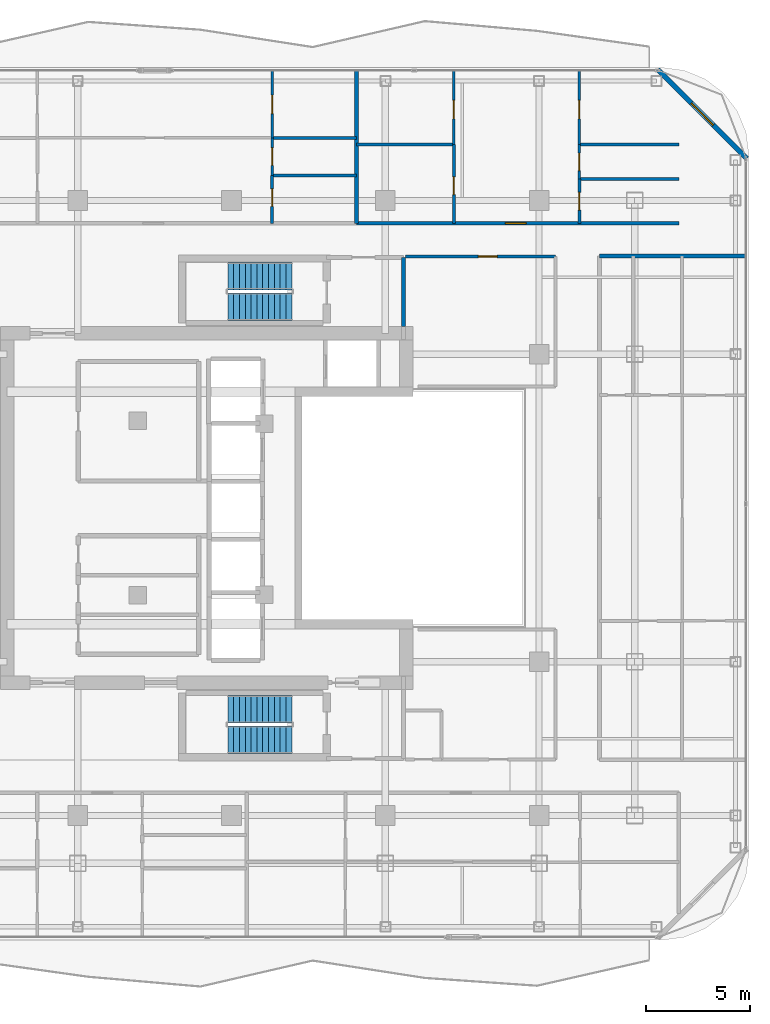
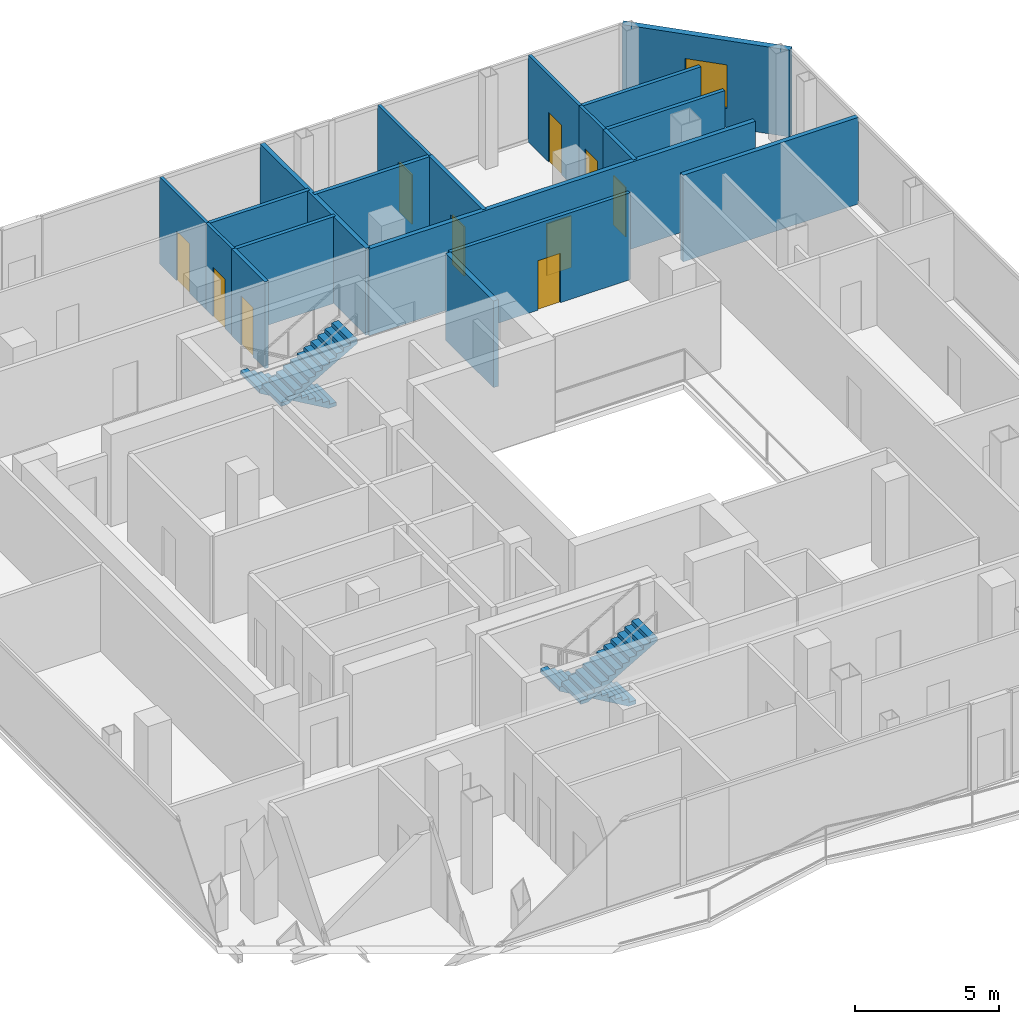
# One storey, part 19 of 22: 19 walls, 10 doors, 4 stair flights, 1 window, 11 openings, 2 elements without a shape of their own.
"""IFC4 building model written with IfcOpenShell, lengths in metres."""

from ifc_helpers import new_model, si_unit, direction, frame, frame_2d, origin, place, context, subcontext, project, spatial, polyline, rectangle, outline, extrude, material, layer, layer_set, type_object, element, fill, aggregate, save


model = new_model("IFC4")

# Units and contexts
model_context = context("Model", 3, precision=1e-05, world=origin(), true_north=direction((0.0, 1.0)))
body_context = subcontext(model_context, "Body", "Model", "MODEL_VIEW")
ifc_project = project(units=[si_unit("LENGTHUNIT", "METRE"), si_unit("AREAUNIT", "SQUARE_METRE"), si_unit("VOLUMEUNIT", "CUBIC_METRE"), si_unit("PLANEANGLEUNIT", "RADIAN"), si_unit("MASSUNIT", "GRAM", prefix="KILO")], contexts=[model_context])

# Site, building, storey
site_placement = place(None, origin())
site = spatial("IfcSite", under=ifc_project, at=site_placement, CompositionType="ELEMENT")
building_placement = place(site_placement, origin())
building = spatial("IfcBuilding", under=site, at=building_placement, Name="Khorvyn Point Tower", CompositionType="ELEMENT")
storey_placement = place(building_placement, frame((0.0, 0.0, 278.10009765625)))
storey = spatial("IfcBuildingStorey", under=building, at=storey_placement, Name="L68", CompositionType="ELEMENT", Elevation=278.10009765625)

# Wall, opening, door
ifc_material_1 = material(Name="Double acoustic gypsum on twin steel stud", Category="steel")
ifc_layer_1 = layer(ifc_material_1, 0.179931640625)
ifc_layer_set_1 = layer_set([ifc_layer_1], Name="Acoustic Double-Stud Apartment Demising Wall 180")
wall_type_1 = type_object("IfcWallType", Name="Acoustic Double-Stud Apartment Demising Wall 180", PredefinedType="PARTITIONING", material=ifc_layer_set_1)
wall_1_placement = place(storey_placement, frame((6.013916015625, 13.699951171875, 0.0), z_axis=(0.0, 0.0, 1.0), x_axis=(1.0, 0.0, 0.0)))
wall_1 = element("IfcWall", 1, at=wall_1_placement, inside=storey, type_object=wall_type_1, Name="Wall", PredefinedType="PARTITIONING", context=body_context, shape_type="SweptSolid", body=[
    extrude(rectangle(XDim=15.506103515625, YDim=0.179931640625, at=frame_2d((7.7529296875, 0.0))), origin(), (0.0, 0.0, 1.0), 3.679931640625),
])
opening_1_placement = place(wall_1_placement, frame((7.1630859375, 0.0, 0.0)))
opening_1 = element("IfcOpeningElement", 2, at=opening_1_placement, cuts=wall_1, Name="Opening ID-AP60", PredefinedType="OPENING", context=body_context, shape_type="SweptSolid", body=[
    extrude(rectangle(XDim=1.0, YDim=2.199951171875, at=frame_2d((0.5, 1.10009765625))), frame((0.0, 0.099853515625, 0.0), z_axis=(0.0, -1.0, 0.0), x_axis=(1.0, 0.0, 0.0)), (0.0, 0.0, 1.0), 0.199951171875),
])
ifc_material_2 = material(Name="Engineered hardwood fire-rated leaf", Category="wood")
door_type_1 = type_object("IfcDoorType", Name="Acoustic Solid-Core Timber Apartment Entrance Door 1000x2200", OperationType="NOTDEFINED", PredefinedType="DOOR", material=ifc_material_2)
door_1_placement = place(opening_1_placement, origin())
door_1 = element("IfcDoor", 3, at=door_1_placement, inside=storey, type_object=door_type_1, Name="Door", OperationType="SINGLE_SWING_RIGHT", OverallHeight=2.199951171875, OverallWidth=1.0, PredefinedType="DOOR", context=body_context, shape_type="SweptSolid", body=[
    extrude(rectangle(XDim=1.0, YDim=2.199951171875, at=frame_2d((0.5, 1.10009765625))), frame((0.0, 0.02490234375, 0.0), z_axis=(0.0, -1.0, 0.0), x_axis=(1.0, 0.0, 0.0)), (0.0, 0.0, 1.0), 0.050048828125),
])
fill(opening_1, door_1)

# Walls
wall_2_placement = place(storey_placement, frame((6.013916015625, 13.699951171875, 0.0), z_axis=(0.0, 0.0, 1.0), x_axis=(0.0, 1.0, 0.0)))
element("IfcWall", 4, at=wall_2_placement, inside=storey, type_object=wall_type_1, Name="Wall", PredefinedType="PARTITIONING", context=body_context, shape_type="SweptSolid", body=[
    extrude(rectangle(XDim=7.330078125, YDim=0.179931640625, at=frame_2d((3.6650390625, 0.0))), origin(), (0.0, 0.0, 1.0), 3.679931640625),
])
wall_3_placement = place(storey_placement, frame((17.699951171875, 12.1201171875, 0.0), z_axis=(0.0, 0.0, 1.0), x_axis=(1.0, 0.0, 0.0)))
element("IfcWall", 5, at=wall_3_placement, inside=storey, type_object=wall_type_1, Name="Wall", PredefinedType="PARTITIONING", context=body_context, shape_type="SweptSolid", body=[
    extrude(rectangle(XDim=7.030029296875, YDim=0.179931640625, at=frame_2d((3.51513671875, 0.0))), origin(), (0.0, 0.0, 1.0), 3.679931640625),
])

# Wall, opening, window
ifc_material_3 = material(Name="Pale anodised aluminium rainscreen on steel stud", Category="steel")
ifc_layer_2 = layer(ifc_material_3, 0.239990234375)
ifc_layer_set_2 = layer_set([ifc_layer_2], Name="Anodised Aluminium Insulated Corner Spandrel Wall 240")
wall_type_2 = type_object("IfcWallType", Name="Anodised Aluminium Insulated Corner Spandrel Wall 240", PredefinedType="SOLIDWALL", material=ifc_layer_set_2)
wall_4_placement = place(storey_placement, frame((20.507568359375, 21.09228515625, 0.0), z_axis=(0.0, 0.0, 1.0), x_axis=(0.707126925818, -0.707086635981, 0.0)))
wall_4 = element("IfcWall", 6, at=wall_4_placement, inside=storey, type_object=wall_type_2, Name="L68 Rounded Corner Wall NE", PredefinedType="SOLIDWALL", context=body_context, shape_type="SweptSolid", body=[
    extrude(rectangle(XDim=6.0595703125, YDim=0.239990234375, at=frame_2d((3.02978515625, 0.0))), origin(), (0.0, 0.0, 1.0), 3.679931640625),
])
opening_2_placement = place(wall_4_placement, frame((2.27978515625, 0.0, 0.800048828125)))
opening_2 = element("IfcOpeningElement", 7, at=opening_2_placement, cuts=wall_4, Name="Opening WN-1518", PredefinedType="OPENING", context=body_context, shape_type="SweptSolid", body=[
    extrude(rectangle(XDim=1.5, YDim=1.85009765625, at=frame_2d((0.75, 0.925048828125))), frame((0.0, 0.1298828125, 0.0), z_axis=(0.0, -1.0, 0.0), x_axis=(1.0, 0.0, 0.0)), (0.0, 0.0, 1.0), 0.260009765625),
])
ifc_material_4 = material(Name="Anodised aluminium 6063-T6 and laminated Low-E glass", Category="aluminium")
window_type = type_object("IfcWindowType", Name="Anodised Aluminium Rounded-Corner Panoramic Window 1500x1850", PartitioningType="SINGLE_PANEL", PredefinedType="WINDOW", material=ifc_material_4)
window_placement = place(opening_2_placement, origin())
window = element("IfcWindow", 8, at=window_placement, inside=storey, type_object=window_type, Name="L68 Corner Panoramic Window NE", OverallHeight=1.85009765625, OverallWidth=1.5, PartitioningType="SINGLE_PANEL", PredefinedType="WINDOW", context=body_context, shape_type="SweptSolid", body=[
    extrude(rectangle(XDim=1.5, YDim=1.85009765625, at=frame_2d((0.75, 0.925048828125))), frame((0.0, 0.030029296875, 0.0), z_axis=(0.0, -1.0, 0.0), x_axis=(1.0, 0.0, 0.0)), (0.0, 0.0, 1.0), 0.06005859375),
])
fill(opening_2, window)

# Wall
ifc_material_5 = material(Name="Concrete C40/50", Category="concrete")
ifc_layer_3 = layer(ifc_material_5, 0.199951171875)
ifc_layer_set_3 = layer_set([ifc_layer_3], Name="Concrete C40/50 Fire-Lobby Compartment Wall 200")
wall_type_3 = type_object("IfcWallType", Name="Concrete C40/50 Fire-Lobby Compartment Wall 200", PredefinedType="SOLIDWALL", material=ifc_layer_set_3)
wall_5_placement = place(storey_placement, frame((8.280029296875, 8.72509765625, 0.0), z_axis=(0.0, 0.0, 1.0), x_axis=(0.0, 1.0, 0.0)))
element("IfcWall", 9, at=wall_5_placement, inside=storey, type_object=wall_type_3, Name="Wall", PredefinedType="SOLIDWALL", context=body_context, shape_type="SweptSolid", body=[
    extrude(rectangle(XDim=3.3349609375, YDim=0.199951171875, at=frame_2d((1.66748046875, 0.0))), origin(), (0.0, 0.0, 1.0), 3.679931640625),
])

# Wall, opening, door
ifc_material_6 = material(Name="Gypsum plasterboard on steel stud", Category="steel")
ifc_layer_4 = layer(ifc_material_6, 0.1201171875)
ifc_layer_set_4 = layer_set([ifc_layer_4], Name="Gypsum Acoustic Stud Room Partition Wall 120")
wall_type_4 = type_object("IfcWallType", Name="Gypsum Acoustic Stud Room Partition Wall 120", PredefinedType="PARTITIONING", material=ifc_layer_set_4)
wall_6_placement = place(storey_placement, frame((1.952880859375, 16.001953125, 0.0), z_axis=(0.0, 0.0, 1.0), x_axis=(0.0, 1.0, 0.0)))
wall_6 = element("IfcWall", 10, at=wall_6_placement, inside=storey, type_object=wall_type_4, Name="Wall", PredefinedType="PARTITIONING", context=body_context, shape_type="SweptSolid", body=[
    extrude(rectangle(XDim=1.80810546875, YDim=0.1201171875, at=frame_2d((0.904052734375, 0.0))), origin(), (0.0, 0.0, 1.0), 3.679931640625),
])
opening_3_placement = place(wall_6_placement, frame((0.47900390625, 0.0, 0.0)))
opening_3 = element("IfcOpeningElement", 11, at=opening_3_placement, cuts=wall_6, Name="Opening ID-WC85", PredefinedType="OPENING", context=body_context, shape_type="SweptSolid", body=[
    extrude(rectangle(XDim=0.85009765625, YDim=2.10009765625, at=frame_2d((0.425048828125, 1.050048828125))), frame((0.0, 0.070068359375, 0.0), z_axis=(0.0, -1.0, 0.0), x_axis=(1.0, 0.0, 0.0)), (0.0, 0.0, 1.0), 0.14013671875),
])
ifc_material_7 = material(Name="High-pressure laminate on moisture-resistant core", Category="wood")
door_type_2 = type_object("IfcDoorType", Name="Moisture-Resistant Accessible Washroom Door 850x2100", OperationType="NOTDEFINED", PredefinedType="DOOR", material=ifc_material_7)
door_2_placement = place(opening_3_placement, origin())
door_2 = element("IfcDoor", 12, at=door_2_placement, inside=storey, type_object=door_type_2, Name="Door", OperationType="SINGLE_SWING_RIGHT", OverallHeight=2.10009765625, OverallWidth=0.85009765625, PredefinedType="DOOR", context=body_context, shape_type="SweptSolid", body=[
    extrude(rectangle(XDim=0.85009765625, YDim=2.10009765625, at=frame_2d((0.425048828125, 1.050048828125))), frame((0.0, 0.02490234375, 0.0), z_axis=(0.0, -1.0, 0.0), x_axis=(1.0, 0.0, 0.0)), (0.0, 0.0, 1.0), 0.050048828125),
])
fill(opening_3, door_2)

wall_7_placement = place(storey_placement, frame((1.952880859375, 17.81005859375, 0.0), z_axis=(0.0, 0.0, 1.0), x_axis=(0.0, 1.0, 0.0)))
wall_7 = element("IfcWall", 13, at=wall_7_placement, inside=storey, type_object=wall_type_4, Name="Wall", PredefinedType="PARTITIONING", context=body_context, shape_type="SweptSolid", body=[
    extrude(rectangle(XDim=3.219970703125, YDim=0.1201171875, at=frame_2d((1.60986328125, 0.0))), origin(), (0.0, 0.0, 1.0), 3.679931640625),
])
opening_4_placement = place(wall_7_placement, frame((1.159912109375, 0.0, 0.0)))
opening_4 = element("IfcOpeningElement", 14, at=opening_4_placement, cuts=wall_7, Name="Opening ID-RM90", PredefinedType="OPENING", context=body_context, shape_type="SweptSolid", body=[
    extrude(rectangle(XDim=0.89990234375, YDim=2.10009765625, at=frame_2d((0.449951171875, 1.050048828125))), frame((0.0, 0.070068359375, 0.0), z_axis=(0.0, -1.0, 0.0), x_axis=(1.0, 0.0, 0.0)), (0.0, 0.0, 1.0), 0.14013671875),
])
ifc_material_8 = material(Name="Engineered oak veneer timber", Category="wood")
door_type_3 = type_object("IfcDoorType", Name="Flush Engineered Timber Room Door 900x2100", OperationType="NOTDEFINED", PredefinedType="DOOR", material=ifc_material_8)
door_3_placement = place(opening_4_placement, origin())
door_3 = element("IfcDoor", 15, at=door_3_placement, inside=storey, type_object=door_type_3, Name="Door", OperationType="SINGLE_SWING_LEFT", OverallHeight=2.10009765625, OverallWidth=0.89990234375, PredefinedType="DOOR", context=body_context, shape_type="SweptSolid", body=[
    extrude(rectangle(XDim=0.89990234375, YDim=2.10009765625, at=frame_2d((0.449951171875, 1.050048828125))), frame((0.0, 0.02490234375, 0.0), z_axis=(0.0, -1.0, 0.0), x_axis=(1.0, 0.0, 0.0)), (0.0, 0.0, 1.0), 0.050048828125),
])
fill(opening_4, door_3)

wall_8_placement = place(storey_placement, frame((10.699951171875, 17.487060546875, 0.0), z_axis=(0.0, 0.0, 1.0), x_axis=(0.0, 1.0, 0.0)))
wall_8 = element("IfcWall", 16, at=wall_8_placement, inside=storey, type_object=wall_type_4, Name="Wall", PredefinedType="PARTITIONING", context=body_context, shape_type="SweptSolid", body=[
    extrude(rectangle(XDim=3.54296875, YDim=0.1201171875, at=frame_2d((1.771484375, 0.0))), origin(), (0.0, 0.0, 1.0), 3.679931640625),
])
opening_5_placement = place(wall_8_placement, frame((1.232177734375, 0.0, 0.0)))
opening_5 = element("IfcOpeningElement", 17, at=opening_5_placement, cuts=wall_8, Name="Opening ID-RM90", PredefinedType="OPENING", context=body_context, shape_type="SweptSolid", body=[
    extrude(rectangle(XDim=0.89990234375, YDim=2.10009765625, at=frame_2d((0.449951171875, 1.050048828125))), frame((0.0, 0.070068359375, 0.0), z_axis=(0.0, -1.0, 0.0), x_axis=(1.0, 0.0, 0.0)), (0.0, 0.0, 1.0), 0.14013671875),
])
door_4_placement = place(opening_5_placement, origin())
door_4 = element("IfcDoor", 18, at=door_4_placement, inside=storey, type_object=door_type_3, Name="Door", OperationType="SINGLE_SWING_RIGHT", OverallHeight=2.10009765625, OverallWidth=0.89990234375, PredefinedType="DOOR", context=body_context, shape_type="SweptSolid", body=[
    extrude(rectangle(XDim=0.89990234375, YDim=2.10009765625, at=frame_2d((0.449951171875, 1.050048828125))), frame((0.0, 0.02490234375, 0.0), z_axis=(0.0, -1.0, 0.0), x_axis=(1.0, 0.0, 0.0)), (0.0, 0.0, 1.0), 0.050048828125),
])
fill(opening_5, door_4)

wall_9_placement = place(storey_placement, frame((16.739013671875, 15.821044921875, 0.0), z_axis=(0.0, 0.0, 1.0), x_axis=(0.0, 1.0, 0.0)))
wall_9 = element("IfcWall", 19, at=wall_9_placement, inside=storey, type_object=wall_type_4, Name="Wall", PredefinedType="PARTITIONING", context=body_context, shape_type="SweptSolid", body=[
    extrude(rectangle(XDim=1.666015625, YDim=0.1201171875, at=frame_2d((0.8330078125, 0.0))), origin(), (0.0, 0.0, 1.0), 3.679931640625),
])
opening_6_placement = place(wall_9_placement, frame((0.407958984375, 0.0, 0.0)))
opening_6 = element("IfcOpeningElement", 20, at=opening_6_placement, cuts=wall_9, Name="Opening ID-WC85", PredefinedType="OPENING", context=body_context, shape_type="SweptSolid", body=[
    extrude(rectangle(XDim=0.85009765625, YDim=2.10009765625, at=frame_2d((0.425048828125, 1.050048828125))), frame((0.0, 0.070068359375, 0.0), z_axis=(0.0, -1.0, 0.0), x_axis=(1.0, 0.0, 0.0)), (0.0, 0.0, 1.0), 0.14013671875),
])
door_5_placement = place(opening_6_placement, origin())
door_5 = element("IfcDoor", 21, at=door_5_placement, inside=storey, type_object=door_type_2, Name="Door", OperationType="SINGLE_SWING_RIGHT", OverallHeight=2.10009765625, OverallWidth=0.85009765625, PredefinedType="DOOR", context=body_context, shape_type="SweptSolid", body=[
    extrude(rectangle(XDim=0.85009765625, YDim=2.10009765625, at=frame_2d((0.425048828125, 1.050048828125))), frame((0.0, 0.02490234375, 0.0), z_axis=(0.0, -1.0, 0.0), x_axis=(1.0, 0.0, 0.0)), (0.0, 0.0, 1.0), 0.050048828125),
])
fill(opening_6, door_5)

wall_10_placement = place(storey_placement, frame((16.739013671875, 17.487060546875, 0.0), z_axis=(0.0, 0.0, 1.0), x_axis=(0.0, 1.0, 0.0)))
wall_10 = element("IfcWall", 22, at=wall_10_placement, inside=storey, type_object=wall_type_4, Name="Wall", PredefinedType="PARTITIONING", context=body_context, shape_type="SweptSolid", body=[
    extrude(rectangle(XDim=3.54296875, YDim=0.1201171875, at=frame_2d((1.771484375, 0.0))), origin(), (0.0, 0.0, 1.0), 3.679931640625),
])
opening_7_placement = place(wall_10_placement, frame((1.232177734375, 0.0, 0.0)))
opening_7 = element("IfcOpeningElement", 23, at=opening_7_placement, cuts=wall_10, Name="Opening ID-RM90", PredefinedType="OPENING", context=body_context, shape_type="SweptSolid", body=[
    extrude(rectangle(XDim=0.89990234375, YDim=2.10009765625, at=frame_2d((0.449951171875, 1.050048828125))), frame((0.0, 0.070068359375, 0.0), z_axis=(0.0, -1.0, 0.0), x_axis=(1.0, 0.0, 0.0)), (0.0, 0.0, 1.0), 0.14013671875),
])
door_6_placement = place(opening_7_placement, origin())
door_6 = element("IfcDoor", 24, at=door_6_placement, inside=storey, type_object=door_type_3, Name="Door", OperationType="SINGLE_SWING_LEFT", OverallHeight=2.10009765625, OverallWidth=0.89990234375, PredefinedType="DOOR", context=body_context, shape_type="SweptSolid", body=[
    extrude(rectangle(XDim=0.89990234375, YDim=2.10009765625, at=frame_2d((0.449951171875, 1.050048828125))), frame((0.0, 0.02490234375, 0.0), z_axis=(0.0, -1.0, 0.0), x_axis=(1.0, 0.0, 0.0)), (0.0, 0.0, 1.0), 0.050048828125),
])
fill(opening_7, door_6)

ifc_material_9 = material(Name="Moisture-resistant gypsum and cement board", Category="gypsum")
ifc_layer_5 = layer(ifc_material_9, 0.14990234375)
ifc_layer_set_5 = layer_set([ifc_layer_5], Name="Moisture-Resistant Wet-Room Partition Wall 150")
wall_type_5 = type_object("IfcWallType", Name="Moisture-Resistant Wet-Room Partition Wall 150", PredefinedType="PARTITIONING", material=ifc_layer_set_5)
wall_11_placement = place(storey_placement, frame((8.360107421875, 12.10009765625, 0.0), z_axis=(0.0, 0.0, 1.0), x_axis=(1.0, 0.0, 0.0)))
wall_11 = element("IfcWall", 25, at=wall_11_placement, inside=storey, type_object=wall_type_5, Name="Wall", PredefinedType="PARTITIONING", context=body_context, shape_type="SweptSolid", body=[
    extrude(rectangle(XDim=7.219970703125, YDim=0.14990234375, at=frame_2d((3.60986328125, 0.0))), origin(), (0.0, 0.0, 1.0), 3.679931640625),
])
opening_8_placement = place(wall_11_placement, frame((3.512939453125, 0.0, 0.0)))
opening_8 = element("IfcOpeningElement", 26, at=opening_8_placement, cuts=wall_11, Name="Opening ID-RM90", PredefinedType="OPENING", context=body_context, shape_type="SweptSolid", body=[
    extrude(rectangle(XDim=0.89990234375, YDim=2.10009765625, at=frame_2d((0.449951171875, 1.050048828125))), frame((0.0, 0.0849609375, 0.0), z_axis=(0.0, -1.0, 0.0), x_axis=(1.0, 0.0, 0.0)), (0.0, 0.0, 1.0), 0.169921875),
])
door_7_placement = place(opening_8_placement, origin())
door_7 = element("IfcDoor", 27, at=door_7_placement, inside=storey, type_object=door_type_3, Name="Door", OperationType="SINGLE_SWING_RIGHT", OverallHeight=2.10009765625, OverallWidth=0.89990234375, PredefinedType="DOOR", context=body_context, shape_type="SweptSolid", body=[
    extrude(rectangle(XDim=0.89990234375, YDim=2.10009765625, at=frame_2d((0.449951171875, 1.050048828125))), frame((0.0, 0.02490234375, 0.0), z_axis=(0.0, -1.0, 0.0), x_axis=(1.0, 0.0, 0.0)), (0.0, 0.0, 1.0), 0.050048828125),
])
fill(opening_8, door_7)

wall_12_placement = place(storey_placement, frame((1.952880859375, 13.699951171875, 0.0), z_axis=(0.0, 0.0, 1.0), x_axis=(0.0, 1.0, 0.0)))
wall_12 = element("IfcWall", 28, at=wall_12_placement, inside=storey, type_object=wall_type_5, Name="Wall", PredefinedType="PARTITIONING", context=body_context, shape_type="SweptSolid", body=[
    extrude(rectangle(XDim=2.302001953125, YDim=0.14990234375, at=frame_2d((1.15087890625, 0.0))), origin(), (0.0, 0.0, 1.0), 3.679931640625),
])
opening_9_placement = place(wall_12_placement, frame((0.806884765625, 0.0, 0.0)))
opening_9 = element("IfcOpeningElement", 29, at=opening_9_placement, cuts=wall_12, Name="Opening ID-WC85", PredefinedType="OPENING", context=body_context, shape_type="SweptSolid", body=[
    extrude(rectangle(XDim=0.85009765625, YDim=2.10009765625, at=frame_2d((0.425048828125, 1.050048828125))), frame((0.0, 0.0849609375, 0.0), z_axis=(0.0, -1.0, 0.0), x_axis=(1.0, 0.0, 0.0)), (0.0, 0.0, 1.0), 0.169921875),
])
door_8_placement = place(opening_9_placement, origin())
door_8 = element("IfcDoor", 30, at=door_8_placement, inside=storey, type_object=door_type_2, Name="Door", OperationType="SINGLE_SWING_LEFT", OverallHeight=2.10009765625, OverallWidth=0.85009765625, PredefinedType="DOOR", context=body_context, shape_type="SweptSolid", body=[
    extrude(rectangle(XDim=0.85009765625, YDim=2.10009765625, at=frame_2d((0.425048828125, 1.050048828125))), frame((0.0, 0.02490234375, 0.0), z_axis=(0.0, -1.0, 0.0), x_axis=(1.0, 0.0, 0.0)), (0.0, 0.0, 1.0), 0.050048828125),
])
fill(opening_9, door_8)

wall_13_placement = place(storey_placement, frame((10.699951171875, 13.699951171875, 0.0), z_axis=(0.0, 0.0, 1.0), x_axis=(0.0, 1.0, 0.0)))
wall_13 = element("IfcWall", 31, at=wall_13_placement, inside=storey, type_object=wall_type_5, Name="Wall", PredefinedType="PARTITIONING", context=body_context, shape_type="SweptSolid", body=[
    extrude(rectangle(XDim=3.787109375, YDim=0.14990234375, at=frame_2d((1.8935546875, 0.0))), origin(), (0.0, 0.0, 1.0), 3.679931640625),
])
opening_10_placement = place(wall_13_placement, frame((1.38134765625, 0.0, 0.0)))
opening_10 = element("IfcOpeningElement", 32, at=opening_10_placement, cuts=wall_13, Name="Opening ID-WC85", PredefinedType="OPENING", context=body_context, shape_type="SweptSolid", body=[
    extrude(rectangle(XDim=0.85009765625, YDim=2.10009765625, at=frame_2d((0.425048828125, 1.050048828125))), frame((0.0, 0.0849609375, 0.0), z_axis=(0.0, -1.0, 0.0), x_axis=(1.0, 0.0, 0.0)), (0.0, 0.0, 1.0), 0.169921875),
])
door_9_placement = place(opening_10_placement, origin())
door_9 = element("IfcDoor", 33, at=door_9_placement, inside=storey, type_object=door_type_2, Name="Door", OperationType="SINGLE_SWING_LEFT", OverallHeight=2.10009765625, OverallWidth=0.85009765625, PredefinedType="DOOR", context=body_context, shape_type="SweptSolid", body=[
    extrude(rectangle(XDim=0.85009765625, YDim=2.10009765625, at=frame_2d((0.425048828125, 1.050048828125))), frame((0.0, 0.02490234375, 0.0), z_axis=(0.0, -1.0, 0.0), x_axis=(1.0, 0.0, 0.0)), (0.0, 0.0, 1.0), 0.050048828125),
])
fill(opening_10, door_9)

wall_14_placement = place(storey_placement, frame((16.739013671875, 13.699951171875, 0.0), z_axis=(0.0, 0.0, 1.0), x_axis=(0.0, 1.0, 0.0)))
wall_14 = element("IfcWall", 34, at=wall_14_placement, inside=storey, type_object=wall_type_5, Name="Wall", PredefinedType="PARTITIONING", context=body_context, shape_type="SweptSolid", body=[
    extrude(rectangle(XDim=2.12109375, YDim=0.14990234375, at=frame_2d((1.060546875, 0.0))), origin(), (0.0, 0.0, 1.0), 3.679931640625),
])
opening_11_placement = place(wall_14_placement, frame((0.635498046875, 0.0, 0.0)))
opening_11 = element("IfcOpeningElement", 35, at=opening_11_placement, cuts=wall_14, Name="Opening ID-WC85", PredefinedType="OPENING", context=body_context, shape_type="SweptSolid", body=[
    extrude(rectangle(XDim=0.85009765625, YDim=2.10009765625, at=frame_2d((0.425048828125, 1.050048828125))), frame((0.0, 0.0849609375, 0.0), z_axis=(0.0, -1.0, 0.0), x_axis=(1.0, 0.0, 0.0)), (0.0, 0.0, 1.0), 0.169921875),
])
door_10_placement = place(opening_11_placement, origin())
door_10 = element("IfcDoor", 36, at=door_10_placement, inside=storey, type_object=door_type_2, Name="Door", OperationType="SINGLE_SWING_LEFT", OverallHeight=2.10009765625, OverallWidth=0.85009765625, PredefinedType="DOOR", context=body_context, shape_type="SweptSolid", body=[
    extrude(rectangle(XDim=0.85009765625, YDim=2.10009765625, at=frame_2d((0.425048828125, 1.050048828125))), frame((0.0, 0.02490234375, 0.0), z_axis=(0.0, -1.0, 0.0), x_axis=(1.0, 0.0, 0.0)), (0.0, 0.0, 1.0), 0.050048828125),
])
fill(opening_11, door_10)

# Walls
for number, where, z_axis, x_axis, name in (
    (37, (1.952880859375, 16.001953125, 0.0), (0.0, 0.0, 1.0), (1.0, 0.0, 0.0), "Wall"),
    (38, (1.952880859375, 17.81005859375, 0.0), (0.0, 0.0, 1.0), (1.0, 0.0, 0.0), "Wall"),
):
    element("IfcWall", number, at=place(storey_placement, frame(where, z_axis=z_axis, x_axis=x_axis)), inside=storey, type_object=wall_type_5, Name=name, PredefinedType="PARTITIONING", context=body_context, shape_type="SweptSolid", body=[
        extrude(rectangle(XDim=4.06103515625, YDim=0.14990234375, at=frame_2d((2.030517578125, 0.0))), origin(), (0.0, 0.0, 1.0), 3.679931640625),
    ])
wall_15_placement = place(storey_placement, frame((6.013916015625, 17.487060546875, 0.0), z_axis=(0.0, 0.0, 1.0), x_axis=(1.0, 0.0, 0.0)))
element("IfcWall", 39, at=wall_15_placement, inside=storey, type_object=wall_type_5, Name="Wall", PredefinedType="PARTITIONING", context=body_context, shape_type="SweptSolid", body=[
    extrude(rectangle(XDim=4.68603515625, YDim=0.14990234375, at=frame_2d((2.343017578125, 0.0))), origin(), (0.0, 0.0, 1.0), 3.679931640625),
])
for number, where, z_axis, x_axis, name in (
    (40, (16.739013671875, 15.821044921875, 0.0), (0.0, 0.0, 1.0), (1.0, 0.0, 0.0), "Wall"),
    (41, (16.739013671875, 17.487060546875, 0.0), (0.0, 0.0, 1.0), (1.0, 0.0, 0.0), "Wall"),
):
    element("IfcWall", number, at=place(storey_placement, frame(where, z_axis=z_axis, x_axis=x_axis)), inside=storey, type_object=wall_type_5, Name=name, PredefinedType="PARTITIONING", context=body_context, shape_type="SweptSolid", body=[
        extrude(rectangle(XDim=4.781005859375, YDim=0.14990234375, at=frame_2d((2.390625, 0.0))), origin(), (0.0, 0.0, 1.0), 3.679931640625),
    ])

# Stair, stair flights
stair_type = type_object("IfcStairType", Name="Tower Concrete C40/50 Dogleg Exit Stair", PredefinedType="HALF_TURN_STAIR", material=ifc_material_5)
stair_1_placement = place(storey_placement, origin())
stair_1 = element("IfcStair", 42, at=stair_1_placement, inside=storey, type_object=stair_type, Name="L68 Tower Smokeproof Exit Stair South", PredefinedType="HALF_TURN_STAIR")
stair_flight_type = type_object("IfcStairFlightType", Name="Tower Concrete C40/50 Stair Flight", PredefinedType="STRAIGHT", material=ifc_material_5)
stair_flight_1_placement = place(storey_placement, frame((2.89990234375, -9.679931640625, 0.0), z_axis=(0.0, 0.0, 1.0), x_axis=(-1.0, 0.0, 0.0)))
stair_flight_1 = element("IfcStairFlight", 43, at=stair_flight_1_placement, type_object=stair_flight_type, Name="ST-01 flight 1", NumberOfRisers=12, NumberOfTreads=11, PredefinedType="STRAIGHT", RiserHeight=0.1625, TreadLength=0.28, context=body_context, shape_type="SweptSolid", body=[
    extrude(outline(polyline([(0.0, 0.0), (0.0, 0.16259765625), (0.280029296875, 0.16259765625), (0.280029296875, 0.324951171875), (0.56005859375, 0.324951171875), (0.56005859375, 0.487548828125), (0.840087890625, 0.487548828125), (0.840087890625, 0.64990234375), (1.1201171875, 0.64990234375), (1.1201171875, 0.8125), (1.39990234375, 0.8125), (1.39990234375, 0.97509765625), (1.679931640625, 0.97509765625), (1.679931640625, 1.137451171875), (1.9599609375, 1.137451171875), (1.9599609375, 1.300048828125), (2.239990234375, 1.300048828125), (2.239990234375, 1.46240234375), (2.52001953125, 1.46240234375), (2.52001953125, 1.625), (2.800048828125, 1.625), (2.800048828125, 1.78759765625), (3.080078125, 1.78759765625), (3.080078125, 1.949951171875), (3.080078125, 1.6142578125), (0.298583984375, 0.0), (0.0, 0.0)])), frame((0.0, 0.66015625, 0.0), z_axis=(0.0, -1.0, 0.0), x_axis=(1.0, 0.0, 0.0)), (0.0, 0.0, 1.0), 1.320068359375),
])
stair_flight_2_placement = place(storey_placement, frame((-0.179931640625, -11.159912109375, 1.949951171875), z_axis=(0.0, 0.0, 1.0), x_axis=(1.0, 0.0, 0.0)))
stair_flight_2 = element("IfcStairFlight", 44, at=stair_flight_2_placement, type_object=stair_flight_type, Name="ST-01 flight 2", NumberOfRisers=12, NumberOfTreads=11, PredefinedType="STRAIGHT", RiserHeight=0.1625, TreadLength=0.28, context=body_context, shape_type="SweptSolid", body=[
    extrude(outline(polyline([(0.0, 0.0), (0.0, 0.16259765625), (0.280029296875, 0.16259765625), (0.280029296875, 0.324951171875), (0.56005859375, 0.324951171875), (0.56005859375, 0.487548828125), (0.840087890625, 0.487548828125), (0.840087890625, 0.64990234375), (1.1201171875, 0.64990234375), (1.1201171875, 0.8125), (1.39990234375, 0.8125), (1.39990234375, 0.97509765625), (1.679931640625, 0.97509765625), (1.679931640625, 1.137451171875), (1.9599609375, 1.137451171875), (1.9599609375, 1.300048828125), (2.239990234375, 1.300048828125), (2.239990234375, 1.46240234375), (2.52001953125, 1.46240234375), (2.52001953125, 1.625), (2.800048828125, 1.625), (2.800048828125, 1.78759765625), (3.080078125, 1.78759765625), (3.080078125, 1.949951171875), (3.080078125, 1.6142578125), (0.298583984375, 0.0), (0.0, 0.0)])), frame((0.0, 0.66015625, 0.0), z_axis=(0.0, -1.0, 0.0), x_axis=(1.0, 0.0, 0.0)), (0.0, 0.0, 1.0), 1.320068359375),
])
aggregate(stair_1, [stair_flight_1, stair_flight_2])

stair_2_placement = place(storey_placement, origin())
stair_2 = element("IfcStair", 45, at=stair_2_placement, inside=storey, type_object=stair_type, Name="L68 Tower Smokeproof Exit Stair North", PredefinedType="HALF_TURN_STAIR")
stair_flight_3_placement = place(storey_placement, frame((2.89990234375, 11.159912109375, 0.0), z_axis=(0.0, 0.0, 1.0), x_axis=(-1.0, 0.0, 0.0)))
stair_flight_3 = element("IfcStairFlight", 46, at=stair_flight_3_placement, type_object=stair_flight_type, Name="ST-02 flight 1", NumberOfRisers=12, NumberOfTreads=11, PredefinedType="STRAIGHT", RiserHeight=0.1625, TreadLength=0.28, context=body_context, shape_type="SweptSolid", body=[
    extrude(outline(polyline([(0.0, 0.0), (0.0, 0.16259765625), (0.280029296875, 0.16259765625), (0.280029296875, 0.324951171875), (0.56005859375, 0.324951171875), (0.56005859375, 0.487548828125), (0.840087890625, 0.487548828125), (0.840087890625, 0.64990234375), (1.1201171875, 0.64990234375), (1.1201171875, 0.8125), (1.39990234375, 0.8125), (1.39990234375, 0.97509765625), (1.679931640625, 0.97509765625), (1.679931640625, 1.137451171875), (1.9599609375, 1.137451171875), (1.9599609375, 1.300048828125), (2.239990234375, 1.300048828125), (2.239990234375, 1.46240234375), (2.52001953125, 1.46240234375), (2.52001953125, 1.625), (2.800048828125, 1.625), (2.800048828125, 1.78759765625), (3.080078125, 1.78759765625), (3.080078125, 1.949951171875), (3.080078125, 1.6142578125), (0.298583984375, 0.0), (0.0, 0.0)])), frame((0.0, 0.66015625, 0.0), z_axis=(0.0, -1.0, 0.0), x_axis=(1.0, 0.0, 0.0)), (0.0, 0.0, 1.0), 1.320068359375),
])
stair_flight_4_placement = place(storey_placement, frame((-0.179931640625, 9.679931640625, 1.949951171875), z_axis=(0.0, 0.0, 1.0), x_axis=(1.0, 0.0, 0.0)))
stair_flight_4 = element("IfcStairFlight", 47, at=stair_flight_4_placement, type_object=stair_flight_type, Name="ST-02 flight 2", NumberOfRisers=12, NumberOfTreads=11, PredefinedType="STRAIGHT", RiserHeight=0.1625, TreadLength=0.28, context=body_context, shape_type="SweptSolid", body=[
    extrude(outline(polyline([(0.0, 0.0), (0.0, 0.16259765625), (0.280029296875, 0.16259765625), (0.280029296875, 0.324951171875), (0.56005859375, 0.324951171875), (0.56005859375, 0.487548828125), (0.840087890625, 0.487548828125), (0.840087890625, 0.64990234375), (1.1201171875, 0.64990234375), (1.1201171875, 0.8125), (1.39990234375, 0.8125), (1.39990234375, 0.97509765625), (1.679931640625, 0.97509765625), (1.679931640625, 1.137451171875), (1.9599609375, 1.137451171875), (1.9599609375, 1.300048828125), (2.239990234375, 1.300048828125), (2.239990234375, 1.46240234375), (2.52001953125, 1.46240234375), (2.52001953125, 1.625), (2.800048828125, 1.625), (2.800048828125, 1.78759765625), (3.080078125, 1.78759765625), (3.080078125, 1.949951171875), (3.080078125, 1.6142578125), (0.298583984375, 0.0), (0.0, 0.0)])), frame((0.0, 0.66015625, 0.0), z_axis=(0.0, -1.0, 0.0), x_axis=(1.0, 0.0, 0.0)), (0.0, 0.0, 1.0), 1.320068359375),
])
aggregate(stair_2, [stair_flight_3, stair_flight_4])

save(model, "model.ifc")
